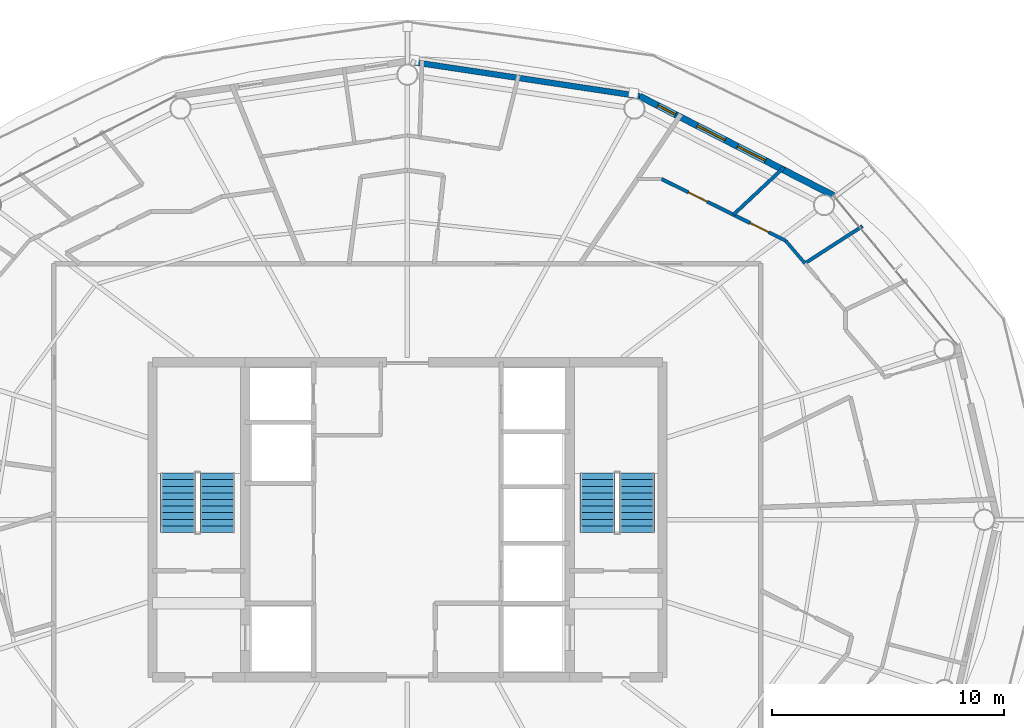
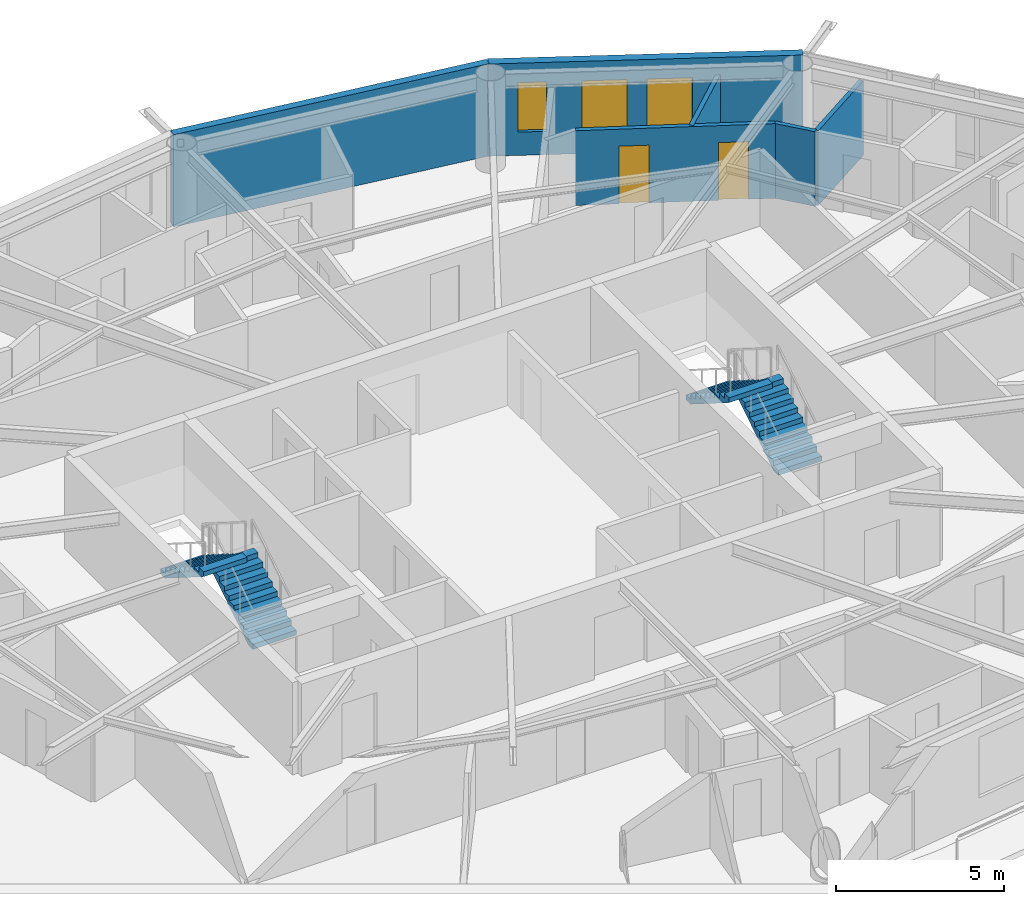
# One storey, part 20 of 23: 6 walls, 4 stair flights, 3 windows, 2 doors, 5 openings, 2 elements without a shape of their own.
"""IFC4 building model written with IfcOpenShell, lengths in metres."""

import ifcopenshell
import ifcopenshell.guid

model = None  # the IFC model being written
_history = None  # IfcOwnerHistory: only IFC2X3 demands one
_inside = {}  # id of a spatial element -> (the spatial element, [elements in it])
_under = {}  # id of a project, library or spatial element -> (it, [spatial elements below it])
_declared = {}  # id of a project -> (the project, [libraries it declares])
_typed = {}  # id of a type object -> (the type object, [elements of that type])
_made_of = {}  # id of a material, layer set ... -> (it, [elements and type objects made of it])


def new_model(schema):
    """Start an empty IFC model of exactly this schema.

    Asked for "IFC4X3", IfcOpenShell would pick the latest addendum, in which some entities
    have other attributes; the version numbers below select the first issue.
    IFC2X3 requires an IfcOwnerHistory on every rooted entity: one is made here for all.
    """
    global model, _history
    if schema == "IFC4X3":
        model = ifcopenshell.file(schema_version=(4, 3, 0, 0))
    else:
        model = ifcopenshell.file(schema=schema)
    _inside.clear()
    _under.clear()
    _declared.clear()
    _typed.clear()
    _made_of.clear()
    _history = None
    if model.schema == "IFC2X3":
        org = make("IfcOrganization", Name="unknown")
        user = make(
            "IfcPersonAndOrganization",
            ThePerson=make("IfcPerson", FamilyName="unknown"),
            TheOrganization=org,
        )
        app = make(
            "IfcApplication",
            ApplicationDeveloper=org,
            Version="unknown",
            ApplicationFullName="unknown",
            ApplicationIdentifier="unknown",
        )
        _history = make(
            "IfcOwnerHistory",
            OwningUser=user,
            OwningApplication=app,
            ChangeAction="ADDED",
            CreationDate=0,
        )
    return model


def make(cls, **values):
    """One entity of the class cls with the attributes given. An attribute that is None is left unset."""
    return model.create_entity(
        cls, **{name: value for name, value in values.items() if value is not None}
    )


def rooted(cls, **values):
    """An entity with a GlobalId (a new one), such as an element, a storey or a relation."""
    return make(cls, GlobalId=ifcopenshell.guid.new(), OwnerHistory=_history, **values)


def si_unit(unit_type, name, prefix=None):
    """IfcSIUnit, for example si_unit("LENGTHUNIT", "METRE", prefix="MILLI")."""
    return make("IfcSIUnit", UnitType=unit_type, Prefix=prefix, Name=name)


def assignment(units):
    """IfcUnitAssignment: the units of a project."""
    return None if units is None else make("IfcUnitAssignment", Units=units)


def point(xyz):
    """IfcCartesianPoint."""
    return None if xyz is None else make("IfcCartesianPoint", Coordinates=xyz)


def direction(xyz):
    """IfcDirection."""
    return None if xyz is None else make("IfcDirection", DirectionRatios=xyz)


def frame(location, z_axis=None, x_axis=None):
    """IfcAxis2Placement3D, a coordinate frame: its origin and axes. An axis left out is left unset."""
    return make(
        "IfcAxis2Placement3D",
        Location=point(location),
        Axis=direction(z_axis),
        RefDirection=direction(x_axis),
    )


def frame_2d(location, x_axis=None):
    """IfcAxis2Placement2D, a coordinate frame in the plane: its origin and x axis."""
    return make(
        "IfcAxis2Placement2D", Location=point(location), RefDirection=direction(x_axis)
    )


def origin():
    """The frame at (0, 0, 0) with its axes left unset."""
    return frame((0.0, 0.0, 0.0))


def place(relative_to, where):
    """IfcLocalPlacement: puts the frame where relative to a parent placement (None: the world)."""
    return make(
        "IfcLocalPlacement", PlacementRelTo=relative_to, RelativePlacement=where
    )


def context(
    kind, dimensions, precision=None, world=None, true_north=None, identifier=None
):
    """IfcGeometricRepresentationContext, for example the 3D "Model" context."""
    return make(
        "IfcGeometricRepresentationContext",
        ContextIdentifier=identifier,
        ContextType=kind,
        CoordinateSpaceDimension=dimensions,
        Precision=precision,
        WorldCoordinateSystem=world,
        TrueNorth=true_north,
    )


def subcontext(parent, identifier, kind, view, scale=None):
    """IfcGeometricRepresentationSubContext, for example "Body" below "Model"."""
    return make(
        "IfcGeometricRepresentationSubContext",
        ContextIdentifier=identifier,
        ContextType=kind,
        ParentContext=parent,
        TargetScale=scale,
        TargetView=view,
    )


def project(units=None, contexts=None):
    """IfcProject with its units and contexts."""
    return rooted(
        "IfcProject",
        Name="project",
        RepresentationContexts=contexts,
        UnitsInContext=assignment(units),
    )


def spatial(cls, under=None, at=None, **own):
    """A site, building, storey or space (cls), placed at a placement, below another one or the project."""
    s = rooted(cls, ObjectPlacement=at, **own)
    if under is not None:
        _under.setdefault(under.id(), (under, []))[1].append(s)
    return s


def polyline(points):
    """IfcPolyline through the points."""
    return make("IfcPolyline", Points=[point(p) for p in points])


def profile(cls, at=None, kind="AREA", **sizes):
    """A parametric profile (cls). Its sizes go by their IFC names, for example OverallWidth=200.0."""
    return make(cls, ProfileType=kind, Position=at, **sizes)


def rectangle(**sizes):
    """IfcRectangleProfileDef."""
    return profile("IfcRectangleProfileDef", **sizes)


def outline(outer, holes=None, kind="AREA"):
    """IfcArbitraryClosedProfileDef: a profile drawn as a closed curve; with holes, ...WithVoids."""
    if holes is None:
        return make("IfcArbitraryClosedProfileDef", ProfileType=kind, OuterCurve=outer)
    return make(
        "IfcArbitraryProfileDefWithVoids",
        ProfileType=kind,
        OuterCurve=outer,
        InnerCurves=holes,
    )


def extrude(swept, where, along, depth):
    """IfcExtrudedAreaSolid: the profile swept, set in the frame where, extruded along a direction by depth."""
    return make(
        "IfcExtrudedAreaSolid",
        SweptArea=swept,
        Position=where,
        ExtrudedDirection=direction(along),
        Depth=depth,
    )


def shape(context_of_items, identifier, shape_type, items):
    """IfcShapeRepresentation: the items that make up one representation, for example the "Body"."""
    return make(
        "IfcShapeRepresentation",
        ContextOfItems=context_of_items,
        RepresentationIdentifier=identifier,
        RepresentationType=shape_type,
        Items=items,
    )


def material(Name=None, Category=None):
    """IfcMaterial."""
    return make("IfcMaterial", Name=Name, Category=Category)


def layer(
    of_material, thickness, ventilated=None, Name=None, Category=None, Priority=None
):
    """IfcMaterialLayer: one layer of a wall or slab, of a material (None: an air gap)."""
    return make(
        "IfcMaterialLayer",
        Material=of_material,
        LayerThickness=thickness,
        IsVentilated=ventilated,
        Name=Name,
        Category=Category,
        Priority=Priority,
    )


def layer_set(layers, Name=None):
    """IfcMaterialLayerSet."""
    return make("IfcMaterialLayerSet", MaterialLayers=layers, LayerSetName=Name)


def made_of(thing, what):
    """Note that an element or type object is made of a material, layer set ...; save() writes the relation."""
    if what is not None:
        _made_of.setdefault(what.id(), (what, []))[1].append(thing)
    return thing


def type_object(cls, material=None, **own):
    """A type object (cls), such as IfcWallType, which elements share."""
    return made_of(rooted(cls, **own), material)


def element(
    cls,
    number,
    at=None,
    inside=None,
    cuts=None,
    type_object=None,
    material=None,
    context=None,
    identifier="Body",
    shape_type=None,
    held_by="IfcProductDefinitionShape",
    body=None,
    shapes=None,
    **own,
):
    """One element of the class cls, such as IfcWall. Its Tag is "e" and its number.

    at: its placement. inside: the storey or other place that contains it. cuts: it is an
    opening in that element (IfcRelVoidsElement). A single representation is given by context,
    identifier, shape_type and body (its items); several are given by shapes. held_by: the class
    of the entity that holds the representations. save() writes the other relations.
    """
    e = rooted(cls, Tag="e%d" % number, ObjectPlacement=at, **own)
    if body is not None:
        shapes = [shape(context, identifier, shape_type, body)]
    if shapes is not None:
        e.Representation = make(held_by, Representations=shapes)
    if inside is not None:
        _inside.setdefault(inside.id(), (inside, []))[1].append(e)
    if cuts is not None:
        rooted(
            "IfcRelVoidsElement", RelatingBuildingElement=cuts, RelatedOpeningElement=e
        )
    if type_object is not None:
        _typed.setdefault(type_object.id(), (type_object, []))[1].append(e)
    return made_of(e, material)


def fill(opening, filler):
    """IfcRelFillsElement: the door or window that sits in an opening."""
    return rooted(
        "IfcRelFillsElement",
        RelatingOpeningElement=opening,
        RelatedBuildingElement=filler,
    )


def aggregate(whole, parts):
    """IfcRelAggregates: a whole, such as a stair, and the parts it consists of."""
    return rooted("IfcRelAggregates", RelatingObject=whole, RelatedObjects=parts)


def save(model, path):
    """Write the relations noted so far, then the file.

    IfcRelAggregates (storeys below a building ...), IfcRelContainedInSpatialStructure (elements
    in a storey), IfcRelDefinesByType, IfcRelAssociatesMaterial and IfcRelDeclares: one each for
    every whole, place, type object, material and project.
    """
    for whole, parts in _under.values():
        aggregate(whole, parts)
    for where, things in _inside.values():
        rooted(
            "IfcRelContainedInSpatialStructure",
            RelatedElements=things,
            RelatingStructure=where,
        )
    for kind, things in _typed.values():
        rooted("IfcRelDefinesByType", RelatedObjects=things, RelatingType=kind)
    for what, things in _made_of.values():
        rooted("IfcRelAssociatesMaterial", RelatedObjects=things, RelatingMaterial=what)
    for by, libraries in _declared.values():
        rooted("IfcRelDeclares", RelatingContext=by, RelatedDefinitions=libraries)
    model.write(path)


model = new_model("IFC4")

# Units and contexts
model_context = context("Model", 3, precision=1e-05, world=origin(), true_north=direction((0.0, 1.0)))
body_context = subcontext(model_context, "Body", "Model", "MODEL_VIEW")
ifc_project = project(units=[si_unit("LENGTHUNIT", "METRE"), si_unit("AREAUNIT", "SQUARE_METRE"), si_unit("VOLUMEUNIT", "CUBIC_METRE"), si_unit("PLANEANGLEUNIT", "RADIAN"), si_unit("MASSUNIT", "GRAM", prefix="KILO")], contexts=[model_context])

# Site, building, storey
site_placement = place(None, origin())
site = spatial("IfcSite", under=ifc_project, at=site_placement, CompositionType="ELEMENT")
building_placement = place(site_placement, origin())
building = spatial("IfcBuilding", under=site, at=building_placement, Name="Sarneth Arch Tower", CompositionType="ELEMENT")
storey_placement = place(building_placement, frame((0.0, 0.0, 228.0)))
storey = spatial("IfcBuildingStorey", under=building, at=storey_placement, Name="L58", CompositionType="ELEMENT", Elevation=228.0)

# Wall
ifc_material_1 = material(Name="Extruded terracotta rainscreen on Concrete C40/50 backing", Category="masonry")
ifc_layer_1 = layer(ifc_material_1, 0.25)
ifc_layer_set_1 = layer_set([ifc_layer_1], Name="Extruded terracotta rainscreen on Concrete C40/50 backing")
wall_type_1 = type_object("IfcWallType", Name="WALL-EXT-SPAND-250", PredefinedType="SOLIDWALL", material=ifc_layer_set_1)
wall_1_placement = place(storey_placement, frame((58.0126953125, 60.2744140625, 0.0), z_axis=(0.0, 0.0, 1.0), x_axis=(-0.988882522213, 0.148698881169, 0.0)))
element("IfcWall", 1, at=wall_1_placement, inside=storey, type_object=wall_type_1, Name="L58 Terracotta perimeter wall 04", PredefinedType="SOLIDWALL", context=body_context, shape_type="SweptSolid", body=[
    extrude(rectangle(XDim=10.125244140625, YDim=0.25, at=frame_2d((5.0625, 0.0))), origin(), (0.0, 0.0, 1.0), 3.360107421875),
])

# Wall, openings, windows
ifc_material_2 = material(Name="Extruded terracotta rainscreen on Concrete C40/50 backing", Category="masonry")
ifc_layer_2 = layer(ifc_material_2, 0.280029296875)
ifc_layer_set_2 = layer_set([ifc_layer_2], Name="Extruded terracotta rainscreen on Concrete C40/50 backing")
wall_type_2 = type_object("IfcWallType", Name="WALL-EXT-TERRA-280", PredefinedType="SOLIDWALL", material=ifc_layer_set_2)
wall_2_placement = place(storey_placement, frame((66.382568359375, 55.986572265625, 0.0), z_axis=(0.0, 0.0, 1.0), x_axis=(-0.890007394051, 0.455946091699, 0.0)))
wall_2 = element("IfcWall", 2, at=wall_2_placement, inside=storey, type_object=wall_type_2, Name="L58 Terracotta perimeter wall 03", PredefinedType="SOLIDWALL", context=body_context, shape_type="SweptSolid", body=[
    extrude(rectangle(XDim=9.404296875, YDim=0.280029296875, at=frame_2d((4.7021484375, 0.0))), origin(), (0.0, 0.0, 1.0), 3.360107421875),
])
opening_1_placement = place(wall_2_placement, frame((3.305908203125, 0.0, 0.85009765625)))
opening_1 = element("IfcOpeningElement", 3, at=opening_1_placement, cuts=wall_2, Name="Opening W-08", PredefinedType="OPENING", context=body_context, shape_type="SweptSolid", body=[
    extrude(rectangle(XDim=1.35009765625, YDim=1.800048828125, at=frame_2d((0.675048828125, 0.89990234375))), frame((0.0, 0.14990234375, 0.0), z_axis=(0.0, -1.0, 0.0), x_axis=(1.0, 0.0, 0.0)), (0.0, 0.0, 1.0), 0.300048828125),
])
opening_2_placement = place(wall_2_placement, frame((5.2568359375, 0.0, 0.85009765625)))
opening_2 = element("IfcOpeningElement", 4, at=opening_2_placement, cuts=wall_2, Name="Opening W-08", PredefinedType="OPENING", context=body_context, shape_type="SweptSolid", body=[
    extrude(rectangle(XDim=1.35009765625, YDim=1.800048828125, at=frame_2d((0.675048828125, 0.89990234375))), frame((0.0, 0.14990234375, 0.0), z_axis=(0.0, -1.0, 0.0), x_axis=(1.0, 0.0, 0.0)), (0.0, 0.0, 1.0), 0.300048828125),
])
opening_3_placement = place(wall_2_placement, frame((7.66259765625, 0.0, 0.85009765625)))
opening_3 = element("IfcOpeningElement", 5, at=opening_3_placement, cuts=wall_2, Name="Opening W-12", PredefinedType="OPENING", context=body_context, shape_type="SweptSolid", body=[
    extrude(rectangle(XDim=0.85009765625, YDim=1.800048828125, at=frame_2d((0.425048828125, 0.89990234375))), frame((0.0, 0.14990234375, 0.0), z_axis=(0.0, -1.0, 0.0), x_axis=(1.0, 0.0, 0.0)), (0.0, 0.0, 1.0), 0.300048828125),
])
ifc_material_3 = material(Name="Thermally broken Aluminium 6063-T6 and low-e laminated IGU", Category="aluminium")
window_type_1 = type_object("IfcWindowType", Name="WIN-TWR-1350x1800", PartitioningType="SINGLE_PANEL", PredefinedType="WINDOW", material=ifc_material_3)
window_1_placement = place(opening_1_placement, origin())
window_1 = element("IfcWindow", 6, at=window_1_placement, inside=storey, type_object=window_type_1, Name="L58 Exterior window 03A", OverallHeight=1.800048828125, OverallWidth=1.35009765625, PartitioningType="SINGLE_PANEL", PredefinedType="WINDOW", context=body_context, shape_type="SweptSolid", body=[
    extrude(rectangle(XDim=1.35009765625, YDim=1.800048828125, at=frame_2d((0.675048828125, 0.89990234375))), frame((0.0, 0.030029296875, 0.0), z_axis=(0.0, -1.0, 0.0), x_axis=(1.0, 0.0, 0.0)), (0.0, 0.0, 1.0), 0.06005859375),
])
fill(opening_1, window_1)
window_2_placement = place(opening_2_placement, origin())
window_2 = element("IfcWindow", 7, at=window_2_placement, inside=storey, type_object=window_type_1, Name="L58 Exterior window 03B", OverallHeight=1.800048828125, OverallWidth=1.35009765625, PartitioningType="SINGLE_PANEL", PredefinedType="WINDOW", context=body_context, shape_type="SweptSolid", body=[
    extrude(rectangle(XDim=1.35009765625, YDim=1.800048828125, at=frame_2d((0.675048828125, 0.89990234375))), frame((0.0, 0.030029296875, 0.0), z_axis=(0.0, -1.0, 0.0), x_axis=(1.0, 0.0, 0.0)), (0.0, 0.0, 1.0), 0.06005859375),
])
fill(opening_2, window_2)
ifc_material_4 = material(Name="Thermally broken Aluminium 6063-T6 and low-e laminated IGU", Category="aluminium")
window_type_2 = type_object("IfcWindowType", Name="WIN-TWR-850x1800", PartitioningType="SINGLE_PANEL", PredefinedType="WINDOW", material=ifc_material_4)
window_3_placement = place(opening_3_placement, origin())
window_3 = element("IfcWindow", 8, at=window_3_placement, inside=storey, type_object=window_type_2, Name="L58 Dwelling bedroom window 01", OverallHeight=1.800048828125, OverallWidth=0.85009765625, PartitioningType="SINGLE_PANEL", PredefinedType="WINDOW", context=body_context, shape_type="SweptSolid", body=[
    extrude(rectangle(XDim=0.85009765625, YDim=1.800048828125, at=frame_2d((0.425048828125, 0.89990234375))), frame((0.0, 0.030029296875, 0.0), z_axis=(0.0, -1.0, 0.0), x_axis=(1.0, 0.0, 0.0)), (0.0, 0.0, 1.0), 0.06005859375),
])
fill(opening_3, window_3)

# Wall
ifc_material_5 = material(Name="Apartment internal stud partition", Category="gypsum")
ifc_layer_3 = layer(ifc_material_5, 0.139892578125)
ifc_layer_set_3 = layer_set([ifc_layer_3], Name="Apartment internal stud partition")
wall_type_3 = type_object("IfcWallType", Name="WALL-PART-140", PredefinedType="PARTITIONING", material=ifc_layer_set_3)
wall_3_placement = place(storey_placement, frame((65.147216796875, 53.061767578125, 0.0), z_axis=(0.0, 0.0, 1.0), x_axis=(-0.648994996694, 0.760792674956, 0.0)))
element("IfcWall", 9, at=wall_3_placement, inside=storey, type_object=wall_type_3, Name="L58 Interior partition W-L58-TP-028", PredefinedType="PARTITIONING", context=body_context, shape_type="SweptSolid", body=[
    extrude(rectangle(XDim=1.288330078125, YDim=0.139892578125, at=frame_2d((0.64404296875, 0.0))), origin(), (0.0, 0.0, 1.0), 2.719970703125),
])

# Wall, openings, doors
ifc_material_6 = material(Name="Acoustic gypsum stud partition", Category="gypsum")
ifc_layer_4 = layer(ifc_material_6, 0.14990234375)
ifc_layer_set_4 = layer_set([ifc_layer_4], Name="Acoustic gypsum stud partition")
wall_type_4 = type_object("IfcWallType", Name="WALL-PART-150", PredefinedType="PARTITIONING", material=ifc_layer_set_4)
wall_4_placement = place(storey_placement, frame((58.9638671875, 56.699951171875, 0.0), z_axis=(0.0, 0.0, 1.0), x_axis=(0.895471406875, -0.445119039661, 0.0)))
wall_4 = element("IfcWall", 10, at=wall_4_placement, inside=storey, type_object=wall_type_4, Name="L58 Interior partition W-L58-TP-031", PredefinedType="PARTITIONING", context=body_context, shape_type="SweptSolid", body=[
    extrude(rectangle(XDim=5.971435546875, YDim=0.14990234375, at=frame_2d((2.98583984375, 0.0))), origin(), (0.0, 0.0, 1.0), 2.719970703125),
])
opening_4_placement = place(wall_4_placement, frame((1.297119140625, 0.0, 0.0)))
opening_4 = element("IfcOpeningElement", 11, at=opening_4_placement, cuts=wall_4, Name="Opening ID-01", PredefinedType="OPENING", context=body_context, shape_type="SweptSolid", body=[
    extrude(rectangle(XDim=0.89990234375, YDim=2.10009765625, at=frame_2d((0.449951171875, 1.050048828125))), frame((0.0, 0.0849609375, 0.0), z_axis=(0.0, -1.0, 0.0), x_axis=(1.0, 0.0, 0.0)), (0.0, 0.0, 1.0), 0.169921875),
])
opening_5_placement = place(wall_4_placement, frame((4.265869140625, 0.0, 0.0)))
opening_5 = element("IfcOpeningElement", 12, at=opening_5_placement, cuts=wall_4, Name="Opening ID-01", PredefinedType="OPENING", context=body_context, shape_type="SweptSolid", body=[
    extrude(rectangle(XDim=0.89990234375, YDim=2.10009765625, at=frame_2d((0.449951171875, 1.050048828125))), frame((0.0, 0.0849609375, 0.0), z_axis=(0.0, -1.0, 0.0), x_axis=(1.0, 0.0, 0.0)), (0.0, 0.0, 1.0), 0.169921875),
])
ifc_material_7 = material(Name="Engineered hardwood flush door", Category="wood")
door_type = type_object("IfcDoorType", Name="DR-INT-900", OperationType="SINGLE_SWING_LEFT", PredefinedType="DOOR", material=ifc_material_7)
door_1_placement = place(opening_4_placement, origin())
door_1 = element("IfcDoor", 13, at=door_1_placement, inside=storey, type_object=door_type, Name="L58 Interior door DR-L58-U1-BED2", OperationType="SINGLE_SWING_RIGHT", OverallHeight=2.10009765625, OverallWidth=0.89990234375, PredefinedType="DOOR", context=body_context, shape_type="SweptSolid", body=[
    extrude(rectangle(XDim=0.89990234375, YDim=2.10009765625, at=frame_2d((0.449951171875, 1.050048828125))), frame((0.0, 0.02490234375, 0.0), z_axis=(0.0, -1.0, 0.0), x_axis=(1.0, 0.0, 0.0)), (0.0, 0.0, 1.0), 0.050048828125),
])
fill(opening_4, door_1)
door_2_placement = place(opening_5_placement, origin())
door_2 = element("IfcDoor", 14, at=door_2_placement, inside=storey, type_object=door_type, Name="L58 Interior door DR-L58-U1-BED1", OperationType="SINGLE_SWING_RIGHT", OverallHeight=2.10009765625, OverallWidth=0.89990234375, PredefinedType="DOOR", context=body_context, shape_type="SweptSolid", body=[
    extrude(rectangle(XDim=0.89990234375, YDim=2.10009765625, at=frame_2d((0.449951171875, 1.050048828125))), frame((0.0, 0.02490234375, 0.0), z_axis=(0.0, -1.0, 0.0), x_axis=(1.0, 0.0, 0.0)), (0.0, 0.0, 1.0), 0.050048828125),
])
fill(opening_5, door_2)

# Walls
wall_5_placement = place(storey_placement, frame((62.062255859375, 55.159912109375, 0.0), z_axis=(0.0, 0.0, 1.0), x_axis=(0.730154645163, 0.683281928743, 0.0)))
element("IfcWall", 15, at=wall_5_placement, inside=storey, type_object=wall_type_4, Name="L58 Interior partition W-L58-TP-038", PredefinedType="PARTITIONING", context=body_context, shape_type="SweptSolid", body=[
    extrude(rectangle(XDim=2.994873046875, YDim=0.14990234375, at=frame_2d((1.49755859375, 0.0))), origin(), (0.0, 0.0, 1.0), 2.719970703125),
])
wall_6_placement = place(storey_placement, frame((65.147216796875, 53.061767578125, 0.0), z_axis=(0.0, 0.0, 1.0), x_axis=(0.840340332522, 0.542059153172, 0.0)))
element("IfcWall", 16, at=wall_6_placement, inside=storey, type_object=wall_type_4, Name="L58 Interior partition W-L58-TP-036", PredefinedType="PARTITIONING", context=body_context, shape_type="SweptSolid", body=[
    extrude(rectangle(XDim=2.956298828125, YDim=0.14990234375, at=frame_2d((1.47802734375, 0.0))), origin(), (0.0, 0.0, 1.0), 2.719970703125),
])

# Stair, stair flights
ifc_material_8 = material(Name="Concrete C50/60", Category="concrete")
stair_type = type_object("IfcStairType", Name="STAIR-CORE-RC", PredefinedType="HALF_TURN_STAIR", material=ifc_material_8)
stair_1_placement = place(storey_placement, origin())
stair_1 = element("IfcStair", 17, at=stair_1_placement, inside=storey, type_object=stair_type, Name="L58 Core Exit Stair 1", PredefinedType="HALF_TURN_STAIR")
ifc_material_9 = material(Name="Concrete C50/60", Category="concrete")
stair_flight_type = type_object("IfcStairFlightType", Name="FLIGHT-RC-1500", PredefinedType="STRAIGHT", material=ifc_material_9)
stair_flight_1_placement = place(storey_placement, frame((39.800048828125, 41.449951171875, 0.0), z_axis=(0.0, 0.0, 1.0), x_axis=(0.0, 1.0, 0.0)))
stair_flight_1 = element("IfcStairFlight", 18, at=stair_flight_1_placement, type_object=stair_flight_type, Name="ST-1 flight 1", NumberOfRisers=10, NumberOfTreads=9, PredefinedType="STRAIGHT", RiserHeight=0.18, TreadLength=0.285, context=body_context, shape_type="SweptSolid", body=[
    extrude(outline(polyline([(0.0, 0.0), (0.0, 0.179931640625), (0.284912109375, 0.179931640625), (0.284912109375, 0.360107421875), (0.570068359375, 0.360107421875), (0.570068359375, 0.5400390625), (0.85498046875, 0.5400390625), (0.85498046875, 0.719970703125), (1.139892578125, 0.719970703125), (1.139892578125, 0.89990234375), (1.425048828125, 0.89990234375), (1.425048828125, 1.080078125), (1.7099609375, 1.080078125), (1.7099609375, 1.260009765625), (1.9951171875, 1.260009765625), (1.9951171875, 1.43994140625), (2.280029296875, 1.43994140625), (2.280029296875, 1.6201171875), (2.56494140625, 1.6201171875), (2.56494140625, 1.800048828125), (2.56494140625, 1.442626953125), (0.28076171875, 0.0), (0.0, 0.0)])), frame((0.0, 0.75, 0.0), z_axis=(0.0, -1.0, 0.0), x_axis=(1.0, 0.0, 0.0)), (0.0, 0.0, 1.0), 1.5),
])
stair_flight_2_placement = place(storey_placement, frame((38.10009765625, 44.014892578125, 1.800048828125), z_axis=(0.0, 0.0, 1.0), x_axis=(0.0, -1.0, 0.0)))
stair_flight_2 = element("IfcStairFlight", 19, at=stair_flight_2_placement, type_object=stair_flight_type, Name="ST-1 flight 2", NumberOfRisers=10, NumberOfTreads=9, PredefinedType="STRAIGHT", RiserHeight=0.18, TreadLength=0.285, context=body_context, shape_type="SweptSolid", body=[
    extrude(outline(polyline([(0.0, 0.0), (0.0, 0.179931640625), (0.284912109375, 0.179931640625), (0.284912109375, 0.360107421875), (0.570068359375, 0.360107421875), (0.570068359375, 0.5400390625), (0.85498046875, 0.5400390625), (0.85498046875, 0.719970703125), (1.139892578125, 0.719970703125), (1.139892578125, 0.89990234375), (1.425048828125, 0.89990234375), (1.425048828125, 1.080078125), (1.7099609375, 1.080078125), (1.7099609375, 1.260009765625), (1.9951171875, 1.260009765625), (1.9951171875, 1.43994140625), (2.280029296875, 1.43994140625), (2.280029296875, 1.6201171875), (2.56494140625, 1.6201171875), (2.56494140625, 1.800048828125), (2.56494140625, 1.442626953125), (0.28076171875, 0.0), (0.0, 0.0)])), frame((0.0, 0.75, 0.0), z_axis=(0.0, -1.0, 0.0), x_axis=(1.0, 0.0, 0.0)), (0.0, 0.0, 1.0), 1.5),
])
aggregate(stair_1, [stair_flight_1, stair_flight_2])

stair_2_placement = place(storey_placement, origin())
stair_2 = element("IfcStair", 20, at=stair_2_placement, inside=storey, type_object=stair_type, Name="L58 Core Exit Stair 2", PredefinedType="HALF_TURN_STAIR")
stair_flight_3_placement = place(storey_placement, frame((57.89990234375, 41.449951171875, 0.0), z_axis=(0.0, 0.0, 1.0), x_axis=(0.0, 1.0, 0.0)))
stair_flight_3 = element("IfcStairFlight", 21, at=stair_flight_3_placement, type_object=stair_flight_type, Name="ST-2 flight 1", NumberOfRisers=10, NumberOfTreads=9, PredefinedType="STRAIGHT", RiserHeight=0.18, TreadLength=0.285, context=body_context, shape_type="SweptSolid", body=[
    extrude(outline(polyline([(0.0, 0.0), (0.0, 0.179931640625), (0.284912109375, 0.179931640625), (0.284912109375, 0.360107421875), (0.570068359375, 0.360107421875), (0.570068359375, 0.5400390625), (0.85498046875, 0.5400390625), (0.85498046875, 0.719970703125), (1.139892578125, 0.719970703125), (1.139892578125, 0.89990234375), (1.425048828125, 0.89990234375), (1.425048828125, 1.080078125), (1.7099609375, 1.080078125), (1.7099609375, 1.260009765625), (1.9951171875, 1.260009765625), (1.9951171875, 1.43994140625), (2.280029296875, 1.43994140625), (2.280029296875, 1.6201171875), (2.56494140625, 1.6201171875), (2.56494140625, 1.800048828125), (2.56494140625, 1.442626953125), (0.28076171875, 0.0), (0.0, 0.0)])), frame((0.0, 0.75, 0.0), z_axis=(0.0, -1.0, 0.0), x_axis=(1.0, 0.0, 0.0)), (0.0, 0.0, 1.0), 1.5),
])
stair_flight_4_placement = place(storey_placement, frame((56.199951171875, 44.014892578125, 1.800048828125), z_axis=(0.0, 0.0, 1.0), x_axis=(0.0, -1.0, 0.0)))
stair_flight_4 = element("IfcStairFlight", 22, at=stair_flight_4_placement, type_object=stair_flight_type, Name="ST-2 flight 2", NumberOfRisers=10, NumberOfTreads=9, PredefinedType="STRAIGHT", RiserHeight=0.18, TreadLength=0.285, context=body_context, shape_type="SweptSolid", body=[
    extrude(outline(polyline([(0.0, 0.0), (0.0, 0.179931640625), (0.284912109375, 0.179931640625), (0.284912109375, 0.360107421875), (0.570068359375, 0.360107421875), (0.570068359375, 0.5400390625), (0.85498046875, 0.5400390625), (0.85498046875, 0.719970703125), (1.139892578125, 0.719970703125), (1.139892578125, 0.89990234375), (1.425048828125, 0.89990234375), (1.425048828125, 1.080078125), (1.7099609375, 1.080078125), (1.7099609375, 1.260009765625), (1.9951171875, 1.260009765625), (1.9951171875, 1.43994140625), (2.280029296875, 1.43994140625), (2.280029296875, 1.6201171875), (2.56494140625, 1.6201171875), (2.56494140625, 1.800048828125), (2.56494140625, 1.442626953125), (0.28076171875, 0.0), (0.0, 0.0)])), frame((0.0, 0.75, 0.0), z_axis=(0.0, -1.0, 0.0), x_axis=(1.0, 0.0, 0.0)), (0.0, 0.0, 1.0), 1.5),
])
aggregate(stair_2, [stair_flight_3, stair_flight_4])

save(model, "model.ifc")
